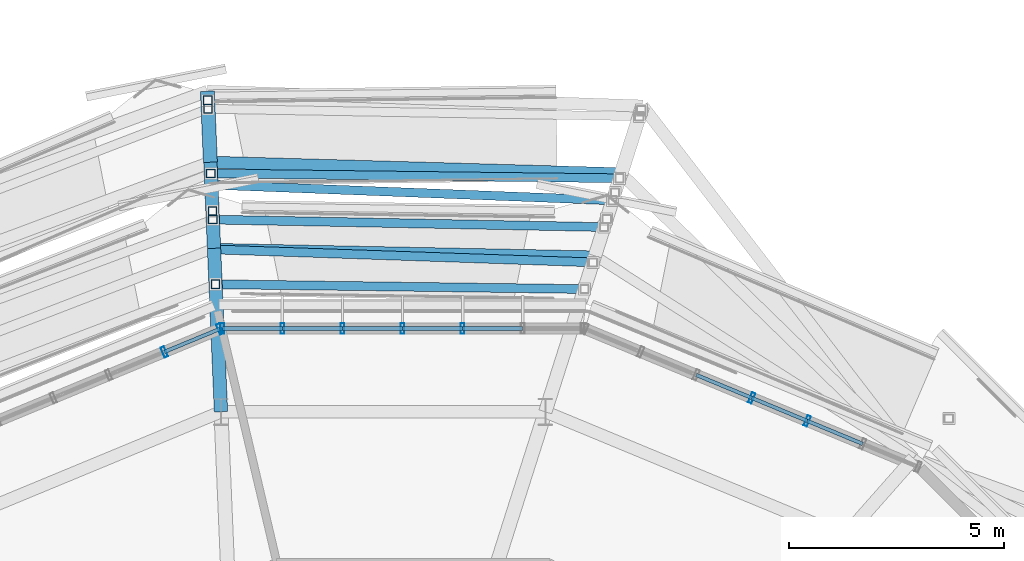
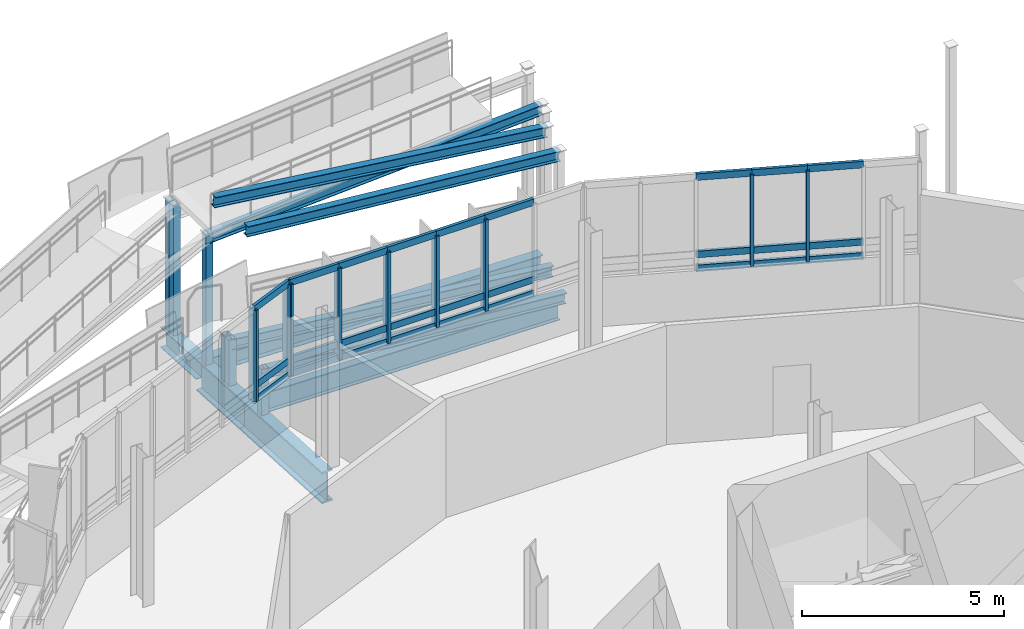
# One storey, part 56 of 139: 42 members, 10 beams, 3 elements without a shape of their own.
"""IFC4 building model written with IfcOpenShell, lengths in metres."""

from ifc_helpers import new_model, si_unit, derived_unit, direction, frame, origin, origin_2d, place, context, subcontext, project, spatial, hollow_rectangle, i_section, extrude, material, layer, layer_set, material_profile, profile_set, type_object, element, aggregate, save


model = new_model("IFC4")

# Units and contexts
model_context = context("Model", 3, precision=1e-05, world=origin(), true_north=direction((0.0, 1.0)))
body_context = subcontext(model_context, "Body", "Model", "MODEL_VIEW")
ifc_project = project(units=[si_unit("LENGTHUNIT", "METRE"), si_unit("AREAUNIT", "SQUARE_METRE"), si_unit("VOLUMEUNIT", "CUBIC_METRE"), si_unit("PLANEANGLEUNIT", "RADIAN"), si_unit("MASSUNIT", "GRAM", prefix="KILO"), derived_unit("THERMALTRANSMITTANCEUNIT", [(si_unit("MASSUNIT", "GRAM", prefix="KILO"), 1), (si_unit("TIMEUNIT", "SECOND"), -3), (si_unit("THERMODYNAMICTEMPERATUREUNIT", "KELVIN"), -1)])], contexts=[model_context])

# Site, building, storey
site_placement = place(None, origin())
site = spatial("IfcSite", under=ifc_project, at=site_placement, CompositionType="ELEMENT")
building_placement = place(site_placement, origin())
building = spatial("IfcBuilding", under=site, at=building_placement, Name="Makaiwela Harbour Ferry Terminal", CompositionType="ELEMENT")
storey_placement = place(building_placement, frame((0.0, 0.0, 5.10009765625)))
storey = spatial("IfcBuildingStorey", under=building, at=storey_placement, Name="L01", CompositionType="ELEMENT", Elevation=5.10009765625)

# Curtain wall, members
ifc_material_1 = material(Name="Marine anodised aluminium 6063-T6", Category="aluminium")
ifc_layer = layer(ifc_material_1, 0.199951171875)
ifc_layer_set = layer_set([ifc_layer], Name="Marine anodised aluminium 6063-T6")
curtain_wall_type = type_object("IfcCurtainWallType", Name="ENV-CW-03", PredefinedType="USERDEFINED", material=ifc_layer_set)
curtain_wall_1_placement = place(storey_placement, origin())
curtain_wall_1 = element("IfcCurtainWall", 1, at=curtain_wall_1_placement, inside=storey, type_object=curtain_wall_type, Name="Unitised Curtain Wall CWA-011", ObjectType="UNITIZED CURTAIN WALL", PredefinedType="USERDEFINED")
ifc_material_profile_1 = material_profile(ifc_material_1, hollow_rectangle(XDim=0.0849609375, YDim=0.25, WallThickness=0.0048828125, at=origin_2d()), Name="CWM-250X85")
ifc_profile_set_1 = profile_set([ifc_material_profile_1], Name="Marine anodised aluminium 6063-T6")
member_type_1 = type_object("IfcMemberType", Name="CW-MUL-250", PredefinedType="MULLION", material=ifc_profile_set_1)
member_1_placement = place(storey_placement, frame((46.945556640625, 86.818603515625, 1.47998046875), z_axis=(0.0, 0.0, 1.0), x_axis=(-0.923879532511, 0.382683432365, 0.0)))
member_1 = element("IfcMember", 2, at=member_1_placement, type_object=member_type_1, Name="Curtain Wall Mullion CWA-011-3", PredefinedType="MULLION", context=body_context, shape_type="SweptSolid", body=[
    extrude(hollow_rectangle(XDim=0.0849609375, YDim=0.25, WallThickness=0.0048828125, at=origin_2d()), origin(), (0.0, 0.0, 1.0), 2.760009765625),
])
member_2_placement = place(storey_placement, frame((45.6572265625, 87.352294921875, 1.47998046875), z_axis=(0.0, 0.0, 1.0), x_axis=(-0.923879532511, 0.382683432365, 0.0)))
member_2 = element("IfcMember", 3, at=member_2_placement, type_object=member_type_1, Name="Curtain Wall Mullion CWA-011-4", PredefinedType="MULLION", context=body_context, shape_type="SweptSolid", body=[
    extrude(hollow_rectangle(XDim=0.0849609375, YDim=0.25, WallThickness=0.0048828125, at=origin_2d()), origin(), (0.0, 0.0, 1.0), 2.760009765625),
])

curtain_wall_2_placement = place(storey_placement, origin())
curtain_wall_2 = element("IfcCurtainWall", 4, at=curtain_wall_2_placement, inside=storey, type_object=curtain_wall_type, Name="Unitised Curtain Wall CWA-012", ObjectType="UNITIZED CURTAIN WALL", PredefinedType="USERDEFINED")
member_3_placement = place(storey_placement, frame((38.944580078125, 88.965087890625, 1.47998046875), z_axis=(0.0, 0.0, 1.0), x_axis=(1.0, 0.0, 0.0)))
member_3 = element("IfcMember", 5, at=member_3_placement, type_object=member_type_1, Name="Curtain Wall Mullion CWA-012-3", PredefinedType="MULLION", context=body_context, shape_type="SweptSolid", body=[
    extrude(hollow_rectangle(XDim=0.0849609375, YDim=0.25, WallThickness=0.0048828125, at=origin_2d()), origin(), (0.0, 0.0, 1.0), 2.760009765625),
])
member_4_placement = place(storey_placement, frame((37.550048828125, 88.965087890625, 1.47998046875), z_axis=(0.0, 0.0, 1.0), x_axis=(1.0, 0.0, 0.0)))
member_4 = element("IfcMember", 6, at=member_4_placement, type_object=member_type_1, Name="Curtain Wall Mullion CWA-012-4", PredefinedType="MULLION", context=body_context, shape_type="SweptSolid", body=[
    extrude(hollow_rectangle(XDim=0.0849609375, YDim=0.25, WallThickness=0.0048828125, at=origin_2d()), origin(), (0.0, 0.0, 1.0), 2.760009765625),
])
member_5_placement = place(storey_placement, frame((36.1552734375, 88.965087890625, 1.47998046875), z_axis=(0.0, 0.0, 1.0), x_axis=(1.0, 0.0, 0.0)))
member_5 = element("IfcMember", 7, at=member_5_placement, type_object=member_type_1, Name="Curtain Wall Mullion CWA-012-5", PredefinedType="MULLION", context=body_context, shape_type="SweptSolid", body=[
    extrude(hollow_rectangle(XDim=0.0849609375, YDim=0.25, WallThickness=0.0048828125, at=origin_2d()), origin(), (0.0, 0.0, 1.0), 2.760009765625),
])
member_6_placement = place(storey_placement, frame((34.7607421875, 88.965087890625, 1.47998046875), z_axis=(0.0, 0.0, 1.0), x_axis=(1.0, 0.0, 0.0)))
member_6 = element("IfcMember", 8, at=member_6_placement, type_object=member_type_1, Name="Curtain Wall Mullion CWA-012-6", PredefinedType="MULLION", context=body_context, shape_type="SweptSolid", body=[
    extrude(hollow_rectangle(XDim=0.0849609375, YDim=0.25, WallThickness=0.0048828125, at=origin_2d()), origin(), (0.0, 0.0, 1.0), 2.760009765625),
])
member_7_placement = place(storey_placement, frame((33.365966796875, 88.965087890625, 1.47998046875), z_axis=(0.0, 0.0, 1.0), x_axis=(1.0, 0.0, 0.0)))
member_7 = element("IfcMember", 9, at=member_7_placement, type_object=member_type_1, Name="Curtain Wall Mullion CWA-012-7", PredefinedType="MULLION", context=body_context, shape_type="SweptSolid", body=[
    extrude(hollow_rectangle(XDim=0.0849609375, YDim=0.25, WallThickness=0.0048828125, at=origin_2d()), origin(), (0.0, 0.0, 1.0), 2.760009765625),
])

curtain_wall_3_placement = place(storey_placement, origin())
curtain_wall_3 = element("IfcCurtainWall", 10, at=curtain_wall_3_placement, inside=storey, type_object=curtain_wall_type, Name="Unitised Curtain Wall CWA-013", ObjectType="UNITIZED CURTAIN WALL", PredefinedType="USERDEFINED")
member_8_placement = place(storey_placement, frame((33.308349609375, 88.95361328125, 1.47998046875), z_axis=(0.0, 0.0, 1.0), x_axis=(0.923879532511, 0.382683432365, 0.0)))
member_8 = element("IfcMember", 11, at=member_8_placement, type_object=member_type_1, Name="Curtain Wall Mullion CWA-013-1", PredefinedType="MULLION", context=body_context, shape_type="SweptSolid", body=[
    extrude(hollow_rectangle(XDim=0.0849609375, YDim=0.25, WallThickness=0.0048828125, at=origin_2d()), origin(), (0.0, 0.0, 1.0), 2.760009765625),
])
member_9_placement = place(storey_placement, frame((32.019775390625, 88.419921875, 1.47998046875), z_axis=(0.0, 0.0, 1.0), x_axis=(0.923879532511, 0.382683432365, 0.0)))
member_9 = element("IfcMember", 12, at=member_9_placement, type_object=member_type_1, Name="Curtain Wall Mullion CWA-013-2", PredefinedType="MULLION", context=body_context, shape_type="SweptSolid", body=[
    extrude(hollow_rectangle(XDim=0.0849609375, YDim=0.25, WallThickness=0.0048828125, at=origin_2d()), origin(), (0.0, 0.0, 1.0), 2.760009765625),
])

# Member
ifc_material_profile_2 = material_profile(ifc_material_1, hollow_rectangle(XDim=0.0849609375, YDim=0.199951171875, WallThickness=0.0048828125, at=origin_2d()), Name="CWT-200X85")
ifc_profile_set_2 = profile_set([ifc_material_profile_2], Name="Marine anodised aluminium 6063-T6")
member_type_2 = type_object("IfcMemberType", Name="CW-TRN-200", PredefinedType="USERDEFINED", material=ifc_profile_set_2)
member_10_placement = place(storey_placement, frame((48.234130859375, 86.284912109375, 1.47998046875), z_axis=(-0.923893096707, 0.382650683858, 0.0), x_axis=(-0.382650683858, -0.923893096707, 0.0)))
member_10 = element("IfcMember", 13, at=member_10_placement, type_object=member_type_2, Name="Curtain Wall Transom CWA-011-2-1", ObjectType="TRANSOM", PredefinedType="USERDEFINED", context=body_context, shape_type="SweptSolid", body=[
    extrude(hollow_rectangle(XDim=0.0849609375, YDim=0.199951171875, WallThickness=0.0048828125, at=origin_2d()), origin(), (0.0, 0.0, 1.0), 1.394775390625),
])

member_11_placement = place(storey_placement, frame((48.234130859375, 86.284912109375, 1.89990234375), z_axis=(-0.923893096707, 0.382650683858, 0.0), x_axis=(-0.382650683858, -0.923893096707, 0.0)))
member_11 = element("IfcMember", 14, at=member_11_placement, type_object=member_type_2, Name="Curtain Wall Transom CWA-011-2-2", ObjectType="TRANSOM", PredefinedType="USERDEFINED", context=body_context, shape_type="SweptSolid", body=[
    extrude(hollow_rectangle(XDim=0.0849609375, YDim=0.199951171875, WallThickness=0.0048828125, at=origin_2d()), origin(), (0.0, 0.0, 1.0), 1.394775390625),
])

member_12_placement = place(storey_placement, frame((48.234130859375, 86.284912109375, 4.239990234375), z_axis=(-0.923893096707, 0.382650683858, 0.0), x_axis=(-0.382650683858, -0.923893096707, 0.0)))
member_12 = element("IfcMember", 15, at=member_12_placement, type_object=member_type_2, Name="Curtain Wall Transom CWA-011-2-3", ObjectType="TRANSOM", PredefinedType="USERDEFINED", context=body_context, shape_type="SweptSolid", body=[
    extrude(hollow_rectangle(XDim=0.0849609375, YDim=0.199951171875, WallThickness=0.0048828125, at=origin_2d()), origin(), (0.0, 0.0, 1.0), 1.394775390625),
])

member_13_placement = place(storey_placement, frame((46.945556640625, 86.818603515625, 1.47998046875), z_axis=(-0.923867459974, 0.382712576749, 0.0), x_axis=(-0.382712576749, -0.923867459974, 0.0)))
member_13 = element("IfcMember", 16, at=member_13_placement, type_object=member_type_2, Name="Curtain Wall Transom CWA-011-3-1", ObjectType="TRANSOM", PredefinedType="USERDEFINED", context=body_context, shape_type="SweptSolid", body=[
    extrude(hollow_rectangle(XDim=0.0849609375, YDim=0.199951171875, WallThickness=0.0048828125, at=origin_2d()), origin(), (0.0, 0.0, 1.0), 1.39453125),
])

member_14_placement = place(storey_placement, frame((46.945556640625, 86.818603515625, 1.89990234375), z_axis=(-0.923867459974, 0.382712576749, 0.0), x_axis=(-0.382712576749, -0.923867459974, 0.0)))
member_14 = element("IfcMember", 17, at=member_14_placement, type_object=member_type_2, Name="Curtain Wall Transom CWA-011-3-2", ObjectType="TRANSOM", PredefinedType="USERDEFINED", context=body_context, shape_type="SweptSolid", body=[
    extrude(hollow_rectangle(XDim=0.0849609375, YDim=0.199951171875, WallThickness=0.0048828125, at=origin_2d()), origin(), (0.0, 0.0, 1.0), 1.39453125),
])

member_15_placement = place(storey_placement, frame((46.945556640625, 86.818603515625, 4.239990234375), z_axis=(-0.923867459974, 0.382712576749, 0.0), x_axis=(-0.382712576749, -0.923867459974, 0.0)))
member_15 = element("IfcMember", 18, at=member_15_placement, type_object=member_type_2, Name="Curtain Wall Transom CWA-011-3-3", ObjectType="TRANSOM", PredefinedType="USERDEFINED", context=body_context, shape_type="SweptSolid", body=[
    extrude(hollow_rectangle(XDim=0.0849609375, YDim=0.199951171875, WallThickness=0.0048828125, at=origin_2d()), origin(), (0.0, 0.0, 1.0), 1.39453125),
])

member_16_placement = place(storey_placement, frame((45.6572265625, 87.352294921875, 1.47998046875), z_axis=(-0.923893096707, 0.382650683858, 0.0), x_axis=(-0.382650683858, -0.923893096707, 0.0)))
member_16 = element("IfcMember", 19, at=member_16_placement, type_object=member_type_2, Name="Curtain Wall Transom CWA-011-4-1", ObjectType="TRANSOM", PredefinedType="USERDEFINED", context=body_context, shape_type="SweptSolid", body=[
    extrude(hollow_rectangle(XDim=0.0849609375, YDim=0.199951171875, WallThickness=0.0048828125, at=origin_2d()), origin(), (0.0, 0.0, 1.0), 1.394775390625),
])

member_17_placement = place(storey_placement, frame((45.6572265625, 87.352294921875, 1.89990234375), z_axis=(-0.923893096707, 0.382650683858, 0.0), x_axis=(-0.382650683858, -0.923893096707, 0.0)))
member_17 = element("IfcMember", 20, at=member_17_placement, type_object=member_type_2, Name="Curtain Wall Transom CWA-011-4-2", ObjectType="TRANSOM", PredefinedType="USERDEFINED", context=body_context, shape_type="SweptSolid", body=[
    extrude(hollow_rectangle(XDim=0.0849609375, YDim=0.199951171875, WallThickness=0.0048828125, at=origin_2d()), origin(), (0.0, 0.0, 1.0), 1.394775390625),
])

member_18_placement = place(storey_placement, frame((45.6572265625, 87.352294921875, 4.239990234375), z_axis=(-0.923893096707, 0.382650683858, 0.0), x_axis=(-0.382650683858, -0.923893096707, 0.0)))
member_18 = element("IfcMember", 21, at=member_18_placement, type_object=member_type_2, Name="Curtain Wall Transom CWA-011-4-3", ObjectType="TRANSOM", PredefinedType="USERDEFINED", context=body_context, shape_type="SweptSolid", body=[
    extrude(hollow_rectangle(XDim=0.0849609375, YDim=0.199951171875, WallThickness=0.0048828125, at=origin_2d()), origin(), (0.0, 0.0, 1.0), 1.394775390625),
])

aggregate(curtain_wall_1, [member_1, member_2, member_10, member_11, member_12, member_13, member_14, member_15, member_16, member_17, member_18])

member_19_placement = place(storey_placement, frame((40.33935546875, 88.965087890625, 1.47998046875), z_axis=(-1.0, 0.0, 0.0), x_axis=(0.0, -1.0, 0.0)))
member_19 = element("IfcMember", 22, at=member_19_placement, type_object=member_type_2, Name="Curtain Wall Transom CWA-012-2-1", ObjectType="TRANSOM", PredefinedType="USERDEFINED", context=body_context, shape_type="SweptSolid", body=[
    extrude(hollow_rectangle(XDim=0.0849609375, YDim=0.199951171875, WallThickness=0.0048828125, at=origin_2d()), origin(), (0.0, 0.0, 1.0), 1.394775390625),
])

member_20_placement = place(storey_placement, frame((40.33935546875, 88.965087890625, 1.89990234375), z_axis=(-1.0, 0.0, 0.0), x_axis=(0.0, -1.0, 0.0)))
member_20 = element("IfcMember", 23, at=member_20_placement, type_object=member_type_2, Name="Curtain Wall Transom CWA-012-2-2", ObjectType="TRANSOM", PredefinedType="USERDEFINED", context=body_context, shape_type="SweptSolid", body=[
    extrude(hollow_rectangle(XDim=0.0849609375, YDim=0.199951171875, WallThickness=0.0048828125, at=origin_2d()), origin(), (0.0, 0.0, 1.0), 1.394775390625),
])

member_21_placement = place(storey_placement, frame((40.33935546875, 88.965087890625, 4.239990234375), z_axis=(-1.0, 0.0, 0.0), x_axis=(0.0, -1.0, 0.0)))
member_21 = element("IfcMember", 24, at=member_21_placement, type_object=member_type_2, Name="Curtain Wall Transom CWA-012-2-3", ObjectType="TRANSOM", PredefinedType="USERDEFINED", context=body_context, shape_type="SweptSolid", body=[
    extrude(hollow_rectangle(XDim=0.0849609375, YDim=0.199951171875, WallThickness=0.0048828125, at=origin_2d()), origin(), (0.0, 0.0, 1.0), 1.394775390625),
])

member_22_placement = place(storey_placement, frame((38.944580078125, 88.965087890625, 1.47998046875), z_axis=(-1.0, 0.0, 0.0), x_axis=(0.0, -1.0, 0.0)))
member_22 = element("IfcMember", 25, at=member_22_placement, type_object=member_type_2, Name="Curtain Wall Transom CWA-012-3-1", ObjectType="TRANSOM", PredefinedType="USERDEFINED", context=body_context, shape_type="SweptSolid", body=[
    extrude(hollow_rectangle(XDim=0.0849609375, YDim=0.199951171875, WallThickness=0.0048828125, at=origin_2d()), origin(), (0.0, 0.0, 1.0), 1.39453125),
])

member_23_placement = place(storey_placement, frame((38.944580078125, 88.965087890625, 1.89990234375), z_axis=(-1.0, 0.0, 0.0), x_axis=(0.0, -1.0, 0.0)))
member_23 = element("IfcMember", 26, at=member_23_placement, type_object=member_type_2, Name="Curtain Wall Transom CWA-012-3-2", ObjectType="TRANSOM", PredefinedType="USERDEFINED", context=body_context, shape_type="SweptSolid", body=[
    extrude(hollow_rectangle(XDim=0.0849609375, YDim=0.199951171875, WallThickness=0.0048828125, at=origin_2d()), origin(), (0.0, 0.0, 1.0), 1.39453125),
])

member_24_placement = place(storey_placement, frame((38.944580078125, 88.965087890625, 4.239990234375), z_axis=(-1.0, 0.0, 0.0), x_axis=(0.0, -1.0, 0.0)))
member_24 = element("IfcMember", 27, at=member_24_placement, type_object=member_type_2, Name="Curtain Wall Transom CWA-012-3-3", ObjectType="TRANSOM", PredefinedType="USERDEFINED", context=body_context, shape_type="SweptSolid", body=[
    extrude(hollow_rectangle(XDim=0.0849609375, YDim=0.199951171875, WallThickness=0.0048828125, at=origin_2d()), origin(), (0.0, 0.0, 1.0), 1.39453125),
])

member_25_placement = place(storey_placement, frame((37.550048828125, 88.965087890625, 1.47998046875), z_axis=(-1.0, 0.0, 0.0), x_axis=(0.0, -1.0, 0.0)))
member_25 = element("IfcMember", 28, at=member_25_placement, type_object=member_type_2, Name="Curtain Wall Transom CWA-012-4-1", ObjectType="TRANSOM", PredefinedType="USERDEFINED", context=body_context, shape_type="SweptSolid", body=[
    extrude(hollow_rectangle(XDim=0.0849609375, YDim=0.199951171875, WallThickness=0.0048828125, at=origin_2d()), origin(), (0.0, 0.0, 1.0), 1.394775390625),
])

member_26_placement = place(storey_placement, frame((37.550048828125, 88.965087890625, 1.89990234375), z_axis=(-1.0, 0.0, 0.0), x_axis=(0.0, -1.0, 0.0)))
member_26 = element("IfcMember", 29, at=member_26_placement, type_object=member_type_2, Name="Curtain Wall Transom CWA-012-4-2", ObjectType="TRANSOM", PredefinedType="USERDEFINED", context=body_context, shape_type="SweptSolid", body=[
    extrude(hollow_rectangle(XDim=0.0849609375, YDim=0.199951171875, WallThickness=0.0048828125, at=origin_2d()), origin(), (0.0, 0.0, 1.0), 1.394775390625),
])

member_27_placement = place(storey_placement, frame((37.550048828125, 88.965087890625, 4.239990234375), z_axis=(-1.0, 0.0, 0.0), x_axis=(0.0, -1.0, 0.0)))
member_27 = element("IfcMember", 30, at=member_27_placement, type_object=member_type_2, Name="Curtain Wall Transom CWA-012-4-3", ObjectType="TRANSOM", PredefinedType="USERDEFINED", context=body_context, shape_type="SweptSolid", body=[
    extrude(hollow_rectangle(XDim=0.0849609375, YDim=0.199951171875, WallThickness=0.0048828125, at=origin_2d()), origin(), (0.0, 0.0, 1.0), 1.394775390625),
])

member_28_placement = place(storey_placement, frame((36.1552734375, 88.965087890625, 1.47998046875), z_axis=(-1.0, 0.0, 0.0), x_axis=(0.0, -1.0, 0.0)))
member_28 = element("IfcMember", 31, at=member_28_placement, type_object=member_type_2, Name="Curtain Wall Transom CWA-012-5-1", ObjectType="TRANSOM", PredefinedType="USERDEFINED", context=body_context, shape_type="SweptSolid", body=[
    extrude(hollow_rectangle(XDim=0.0849609375, YDim=0.199951171875, WallThickness=0.0048828125, at=origin_2d()), origin(), (0.0, 0.0, 1.0), 1.39453125),
])

member_29_placement = place(storey_placement, frame((36.1552734375, 88.965087890625, 1.89990234375), z_axis=(-1.0, 0.0, 0.0), x_axis=(0.0, -1.0, 0.0)))
member_29 = element("IfcMember", 32, at=member_29_placement, type_object=member_type_2, Name="Curtain Wall Transom CWA-012-5-2", ObjectType="TRANSOM", PredefinedType="USERDEFINED", context=body_context, shape_type="SweptSolid", body=[
    extrude(hollow_rectangle(XDim=0.0849609375, YDim=0.199951171875, WallThickness=0.0048828125, at=origin_2d()), origin(), (0.0, 0.0, 1.0), 1.39453125),
])

member_30_placement = place(storey_placement, frame((36.1552734375, 88.965087890625, 4.239990234375), z_axis=(-1.0, 0.0, 0.0), x_axis=(0.0, -1.0, 0.0)))
member_30 = element("IfcMember", 33, at=member_30_placement, type_object=member_type_2, Name="Curtain Wall Transom CWA-012-5-3", ObjectType="TRANSOM", PredefinedType="USERDEFINED", context=body_context, shape_type="SweptSolid", body=[
    extrude(hollow_rectangle(XDim=0.0849609375, YDim=0.199951171875, WallThickness=0.0048828125, at=origin_2d()), origin(), (0.0, 0.0, 1.0), 1.39453125),
])

member_31_placement = place(storey_placement, frame((34.7607421875, 88.965087890625, 1.47998046875), z_axis=(-1.0, 0.0, 0.0), x_axis=(0.0, -1.0, 0.0)))
member_31 = element("IfcMember", 34, at=member_31_placement, type_object=member_type_2, Name="Curtain Wall Transom CWA-012-6-1", ObjectType="TRANSOM", PredefinedType="USERDEFINED", context=body_context, shape_type="SweptSolid", body=[
    extrude(hollow_rectangle(XDim=0.0849609375, YDim=0.199951171875, WallThickness=0.0048828125, at=origin_2d()), origin(), (0.0, 0.0, 1.0), 1.394775390625),
])

member_32_placement = place(storey_placement, frame((34.7607421875, 88.965087890625, 1.89990234375), z_axis=(-1.0, 0.0, 0.0), x_axis=(0.0, -1.0, 0.0)))
member_32 = element("IfcMember", 35, at=member_32_placement, type_object=member_type_2, Name="Curtain Wall Transom CWA-012-6-2", ObjectType="TRANSOM", PredefinedType="USERDEFINED", context=body_context, shape_type="SweptSolid", body=[
    extrude(hollow_rectangle(XDim=0.0849609375, YDim=0.199951171875, WallThickness=0.0048828125, at=origin_2d()), origin(), (0.0, 0.0, 1.0), 1.394775390625),
])

member_33_placement = place(storey_placement, frame((34.7607421875, 88.965087890625, 4.239990234375), z_axis=(-1.0, 0.0, 0.0), x_axis=(0.0, -1.0, 0.0)))
member_33 = element("IfcMember", 36, at=member_33_placement, type_object=member_type_2, Name="Curtain Wall Transom CWA-012-6-3", ObjectType="TRANSOM", PredefinedType="USERDEFINED", context=body_context, shape_type="SweptSolid", body=[
    extrude(hollow_rectangle(XDim=0.0849609375, YDim=0.199951171875, WallThickness=0.0048828125, at=origin_2d()), origin(), (0.0, 0.0, 1.0), 1.394775390625),
])

aggregate(curtain_wall_2, [member_3, member_4, member_5, member_6, member_7, member_19, member_20, member_21, member_22, member_23, member_24, member_25, member_26, member_27, member_28, member_29, member_30, member_31, member_32, member_33])

member_34_placement = place(storey_placement, frame((33.308349609375, 88.95361328125, 1.47998046875), z_axis=(-0.923893096707, -0.382650683858, 0.0), x_axis=(0.382650683858, -0.923893096707, 0.0)))
member_34 = element("IfcMember", 37, at=member_34_placement, type_object=member_type_2, Name="Curtain Wall Transom CWA-013-1-1", ObjectType="TRANSOM", PredefinedType="USERDEFINED", context=body_context, shape_type="SweptSolid", body=[
    extrude(hollow_rectangle(XDim=0.0849609375, YDim=0.199951171875, WallThickness=0.0048828125, at=origin_2d()), origin(), (0.0, 0.0, 1.0), 1.394775390625),
])

member_35_placement = place(storey_placement, frame((33.308349609375, 88.95361328125, 1.89990234375), z_axis=(-0.923893096707, -0.382650683858, 0.0), x_axis=(0.382650683858, -0.923893096707, 0.0)))
member_35 = element("IfcMember", 38, at=member_35_placement, type_object=member_type_2, Name="Curtain Wall Transom CWA-013-1-2", ObjectType="TRANSOM", PredefinedType="USERDEFINED", context=body_context, shape_type="SweptSolid", body=[
    extrude(hollow_rectangle(XDim=0.0849609375, YDim=0.199951171875, WallThickness=0.0048828125, at=origin_2d()), origin(), (0.0, 0.0, 1.0), 1.394775390625),
])

member_36_placement = place(storey_placement, frame((33.308349609375, 88.95361328125, 4.239990234375), z_axis=(-0.923893096707, -0.382650683858, 0.0), x_axis=(0.382650683858, -0.923893096707, 0.0)))
member_36 = element("IfcMember", 39, at=member_36_placement, type_object=member_type_2, Name="Curtain Wall Transom CWA-013-1-3", ObjectType="TRANSOM", PredefinedType="USERDEFINED", context=body_context, shape_type="SweptSolid", body=[
    extrude(hollow_rectangle(XDim=0.0849609375, YDim=0.199951171875, WallThickness=0.0048828125, at=origin_2d()), origin(), (0.0, 0.0, 1.0), 1.394775390625),
])

aggregate(curtain_wall_3, [member_8, member_9, member_34, member_35, member_36])

# Beams
ifc_material_2 = material(Name="Steel ASTM A992 Grade 50", Category="steel")
ifc_material_profile_3 = material_profile(ifc_material_2, i_section(OverallWidth=0.280029296875, OverallDepth=0.462890625, WebThickness=0.0107421875, FlangeThickness=0.017333984375, at=origin_2d()), Name="W18X76")
ifc_profile_set_3 = profile_set([ifc_material_profile_3], Name="Steel ASTM A992 Grade 50")
beam_type_1 = type_object("IfcBeamType", Name="STR-BM-W18X76", PredefinedType="BEAM", material=ifc_profile_set_3)
beam_1_placement = place(storey_placement, frame((42.623291015625, 92.556396484375, -0.51171875), z_axis=(-0.999606406345, 0.028054097648, 0.0), x_axis=(-0.028054097648, -0.999606406345, 0.0)))
element("IfcBeam", 40, at=beam_1_placement, inside=storey, type_object=beam_type_1, Name="Drum stage2 tie girder 85", PredefinedType="BEAM", context=body_context, shape_type="SweptSolid", body=[
    extrude(i_section(OverallWidth=0.280029296875, OverallDepth=0.462890625, WebThickness=0.0107421875, FlangeThickness=0.017333984375, at=origin_2d()), origin(), (0.0, 0.0, 1.0), 9.537841796875),
])
ifc_material_profile_4 = material_profile(ifc_material_2, i_section(OverallWidth=0.324951171875, OverallDepth=0.615966796875, WebThickness=0.013916015625, FlangeThickness=0.021484375, at=origin_2d()), Name="W24X117")
ifc_profile_set_4 = profile_set([ifc_material_profile_4], Name="Steel ASTM A992 Grade 50")
beam_type_2 = type_object("IfcBeamType", Name="STR-GRD-W24X117", PredefinedType="USERDEFINED", material=ifc_profile_set_4)
beam_2_placement = place(storey_placement, frame((33.089111328125, 92.823974609375, -0.588134765625), z_axis=(-0.04246757726, 0.999097845499, 0.0), x_axis=(-0.999097845499, -0.04246757726, 0.0)))
element("IfcBeam", 41, at=beam_2_placement, inside=storey, type_object=beam_type_2, Name="Promenade terrace bracket 44", ObjectType="GIRDER", PredefinedType="USERDEFINED", context=body_context, shape_type="SweptSolid", body=[
    extrude(i_section(OverallWidth=0.324951171875, OverallDepth=0.615966796875, WebThickness=0.013916015625, FlangeThickness=0.021484375, at=origin_2d()), origin(), (0.0, 0.0, 1.0), 1.64990234375),
])
ifc_material_profile_5 = material_profile(ifc_material_2, i_section(OverallWidth=0.22900390625, OverallDepth=0.612060546875, WebThickness=0.011962890625, FlangeThickness=0.01953125, at=origin_2d()), Name="W24X84")
ifc_profile_set_5 = profile_set([ifc_material_profile_5], Name="Steel ASTM A992 Grade 50")
beam_type_3 = type_object("IfcBeamType", Name="STR-GRD-W24X84", PredefinedType="USERDEFINED", material=ifc_profile_set_5)
beam_3_placement = place(storey_placement, frame((42.01708984375, 90.650390625, -0.586181640625), z_axis=(-0.999803608761, 0.019817767471, 0.0), x_axis=(-0.019817767471, -0.999803608761, 0.0)))
element("IfcBeam", 42, at=beam_3_placement, inside=storey, type_object=beam_type_3, Name="Drum overhang tie girder 84", ObjectType="GIRDER", PredefinedType="USERDEFINED", context=body_context, shape_type="SweptSolid", body=[
    extrude(i_section(OverallWidth=0.22900390625, OverallDepth=0.612060546875, WebThickness=0.011962890625, FlangeThickness=0.01953125, at=origin_2d()), origin(), (0.0, 0.0, 1.0), 8.84521484375),
])
ifc_material_profile_6 = material_profile(ifc_material_2, i_section(OverallWidth=0.31005859375, OverallDepth=0.949951171875, WebThickness=0.0244140625, FlangeThickness=0.0439453125, at=origin_2d()), Name="W36X256")
ifc_profile_set_6 = profile_set([ifc_material_profile_6], Name="Steel ASTM A992 Grade 50")
beam_type_4 = type_object("IfcBeamType", Name="STR-GRD-W36X256", PredefinedType="USERDEFINED", material=ifc_profile_set_6)
beam_4_placement = place(storey_placement, frame((33.334716796875, 87.029296875, -0.755126953125), z_axis=(-0.042405550922, 0.999100480057, 0.0), x_axis=(-0.999100480057, -0.042405550922, 0.0)))
element("IfcBeam", 43, at=beam_4_placement, inside=storey, type_object=beam_type_4, Name="Drum radial overhang 42", ObjectType="GIRDER", PredefinedType="USERDEFINED", context=body_context, shape_type="SweptSolid", body=[
    extrude(i_section(OverallWidth=0.31005859375, OverallDepth=0.949951171875, WebThickness=0.0244140625, FlangeThickness=0.0439453125, at=origin_2d()), origin(), (0.0, 0.0, 1.0), 3.7998046875),
])
beam_5_placement = place(storey_placement, frame((33.173583984375, 90.82568359375, -0.755126953125), z_axis=(-0.042234730559, 0.999107715682, 0.0), x_axis=(-0.999107715682, -0.042234730559, 0.0)))
element("IfcBeam", 44, at=beam_5_placement, inside=storey, type_object=beam_type_4, Name="Drum overhang radial girder 43", ObjectType="GIRDER", PredefinedType="USERDEFINED", context=body_context, shape_type="SweptSolid", body=[
    extrude(i_section(OverallWidth=0.31005859375, OverallDepth=0.949951171875, WebThickness=0.0244140625, FlangeThickness=0.0439453125, at=origin_2d()), origin(), (0.0, 0.0, 1.0), 2.0),
])
ifc_material_profile_7 = material_profile(ifc_material_2, i_section(OverallWidth=0.205078125, OverallDepth=0.31005859375, WebThickness=0.009521484375, FlangeThickness=0.016357421875, at=origin_2d()), Name="W12X50")
ifc_profile_set_7 = profile_set([ifc_material_profile_7], Name="Steel ASTM A992 Grade 50")
beam_type_5 = type_object("IfcBeamType", Name="STR-LNT-W12X50", PredefinedType="LINTEL", material=ifc_profile_set_7)
beam_6_placement = place(storey_placement, frame((41.77197265625, 89.87939453125, 0.312744140625), z_axis=(-0.997109212336, 0.013048786237, 0.074852841309), x_axis=(-0.013085496407, -0.999914381227, 0.0)))
element("IfcBeam", 45, at=beam_6_placement, inside=storey, type_object=beam_type_5, Name="Coiled Ramp Stringer L01-FI2-IN", PredefinedType="LINTEL", context=body_context, shape_type="SweptSolid", body=[
    extrude(i_section(OverallWidth=0.205078125, OverallDepth=0.31005859375, WebThickness=0.009521484375, FlangeThickness=0.016357421875, at=origin_2d()), origin(), (0.0, 0.0, 1.0), 8.587890625),
])
beam_7_placement = place(storey_placement, frame((42.2294921875, 91.318359375, 0.09130859375), z_axis=(-0.995354232739, 0.01904676988, 0.094377814801), x_axis=(-0.019132167219, -0.999816963338, 0.0)))
element("IfcBeam", 46, at=beam_7_placement, inside=storey, type_object=beam_type_5, Name="Coiled Ramp Stringer L01-FI2-OUT", PredefinedType="LINTEL", context=body_context, shape_type="SweptSolid", body=[
    extrude(i_section(OverallWidth=0.205078125, OverallDepth=0.31005859375, WebThickness=0.009521484375, FlangeThickness=0.016357421875, at=origin_2d()), origin(), (0.0, 0.0, 1.0), 9.12646484375),
])
beam_8_placement = place(storey_placement, frame((33.10009765625, 92.563232421875, 3.527099609375), z_axis=(0.997643339498, -0.011858067428, 0.067580717613), x_axis=(0.011885239343, 0.999929368048, 0.0)))
element("IfcBeam", 47, at=beam_8_placement, inside=storey, type_object=beam_type_5, Name="Coiled Ramp Stringer L01-FO3-IN", PredefinedType="LINTEL", context=body_context, shape_type="SweptSolid", body=[
    extrude(i_section(OverallWidth=0.205078125, OverallDepth=0.31005859375, WebThickness=0.009521484375, FlangeThickness=0.016357421875, at=origin_2d()), origin(), (0.0, 0.0, 1.0), 9.511962890625),
])
beam_9_placement = place(storey_placement, frame((41.968994140625, 90.498779296875, 4.169921875), z_axis=(-0.997102380097, 0.034020122294, 0.068040244587), x_axis=(-0.034099144424, -0.999418455078, 0.0)))
element("IfcBeam", 48, at=beam_9_placement, inside=storey, type_object=beam_type_5, Name="Coiled Ramp Stringer L02-FI1-IN", PredefinedType="LINTEL", context=body_context, shape_type="SweptSolid", body=[
    extrude(i_section(OverallWidth=0.205078125, OverallDepth=0.31005859375, WebThickness=0.009521484375, FlangeThickness=0.016357421875, at=origin_2d()), origin(), (0.0, 0.0, 1.0), 8.81982421875),
])
beam_10_placement = place(storey_placement, frame((42.427001953125, 91.938720703125, 3.86376953125), z_axis=(-0.994595394279, 0.03852434595, 0.096415125621), x_axis=(-0.038704662861, -0.999250693807, 0.0)))
element("IfcBeam", 49, at=beam_10_placement, inside=storey, type_object=beam_type_5, Name="Coiled Ramp Stringer L02-FI1-OUT", PredefinedType="LINTEL", context=body_context, shape_type="SweptSolid", body=[
    extrude(i_section(OverallWidth=0.205078125, OverallDepth=0.31005859375, WebThickness=0.009521484375, FlangeThickness=0.016357421875, at=origin_2d()), origin(), (0.0, 0.0, 1.0), 9.366455078125),
])

# Members
ifc_material_3 = material(Name="Steel ASTM A500 Grade C", Category="steel")
ifc_material_profile_8 = material_profile(ifc_material_3, hollow_rectangle(XDim=0.202880859375, YDim=0.202880859375, WallThickness=0.01171875, at=origin_2d()), Name="HSS8X8X1/2")
ifc_profile_set_8 = profile_set([ifc_material_profile_8], Name="Steel ASTM A500 Grade C")
member_type_3 = type_object("IfcMemberType", Name="STR-PST-HSS8", PredefinedType="POST", material=ifc_profile_set_8)
member_37_placement = place(storey_placement, frame((33.036376953125, 94.06396484375, -0.300048828125), z_axis=(0.0, 0.0, 1.0), x_axis=(1.0, 0.0, 0.0)))
element("IfcMember", 50, at=member_37_placement, inside=storey, type_object=member_type_3, Name="Exterior Ramp Support Post RP-0061", PredefinedType="POST", context=body_context, shape_type="SweptSolid", body=[
    extrude(hollow_rectangle(XDim=0.202880859375, YDim=0.202880859375, WallThickness=0.01171875, at=origin_2d()), origin(), (0.0, 0.0, 1.0), 3.97900390625),
])
member_38_placement = place(storey_placement, frame((33.028076171875, 94.26171875, -0.300048828125), z_axis=(0.0, 0.0, 1.0), x_axis=(1.0, 0.0, 0.0)))
element("IfcMember", 51, at=member_38_placement, inside=storey, type_object=member_type_3, Name="Exterior Ramp Support Post RP-0062", PredefinedType="POST", context=body_context, shape_type="SweptSolid", body=[
    extrude(hollow_rectangle(XDim=0.202880859375, YDim=0.202880859375, WallThickness=0.01171875, at=origin_2d()), origin(), (0.0, 0.0, 1.0), 3.987060546875),
])
member_39_placement = place(storey_placement, frame((33.208984375, 89.991455078125, -0.300048828125), z_axis=(0.0, 0.0, 1.0), x_axis=(1.0, 0.0, 0.0)))
element("IfcMember", 52, at=member_39_placement, inside=storey, type_object=member_type_3, Name="Exterior Ramp Support Post RP-0065", PredefinedType="POST", context=body_context, shape_type="SweptSolid", body=[
    extrude(hollow_rectangle(XDim=0.202880859375, YDim=0.202880859375, WallThickness=0.01171875, at=origin_2d()), origin(), (0.0, 0.0, 1.0), 1.41064453125),
])
member_40_placement = place(storey_placement, frame((33.1455078125, 91.4921875, -0.300048828125), z_axis=(0.0, 0.0, 1.0), x_axis=(1.0, 0.0, 0.0)))
element("IfcMember", 53, at=member_40_placement, inside=storey, type_object=member_type_3, Name="Exterior Ramp Support Post RP-0069", PredefinedType="POST", context=body_context, shape_type="SweptSolid", body=[
    extrude(hollow_rectangle(XDim=0.202880859375, YDim=0.202880859375, WallThickness=0.01171875, at=origin_2d()), origin(), (0.0, 0.0, 1.0), 1.40771484375),
])
member_41_placement = place(storey_placement, frame((33.13720703125, 91.68896484375, -0.300048828125), z_axis=(0.0, 0.0, 1.0), x_axis=(1.0, 0.0, 0.0)))
element("IfcMember", 54, at=member_41_placement, inside=storey, type_object=member_type_3, Name="Exterior Ramp Support Post RP-0070", PredefinedType="POST", context=body_context, shape_type="SweptSolid", body=[
    extrude(hollow_rectangle(XDim=0.202880859375, YDim=0.202880859375, WallThickness=0.01171875, at=origin_2d()), origin(), (0.0, 0.0, 1.0), 1.415771484375),
])
member_42_placement = place(storey_placement, frame((33.10009765625, 92.563232421875, -0.300048828125), z_axis=(0.0, 0.0, 1.0), x_axis=(1.0, 0.0, 0.0)))
element("IfcMember", 55, at=member_42_placement, inside=storey, type_object=member_type_3, Name="Exterior Ramp Support Post RP-0074", PredefinedType="POST", context=body_context, shape_type="SweptSolid", body=[
    extrude(hollow_rectangle(XDim=0.202880859375, YDim=0.202880859375, WallThickness=0.01171875, at=origin_2d()), origin(), (0.0, 0.0, 1.0), 3.98193359375),
])

save(model, "model.ifc")
